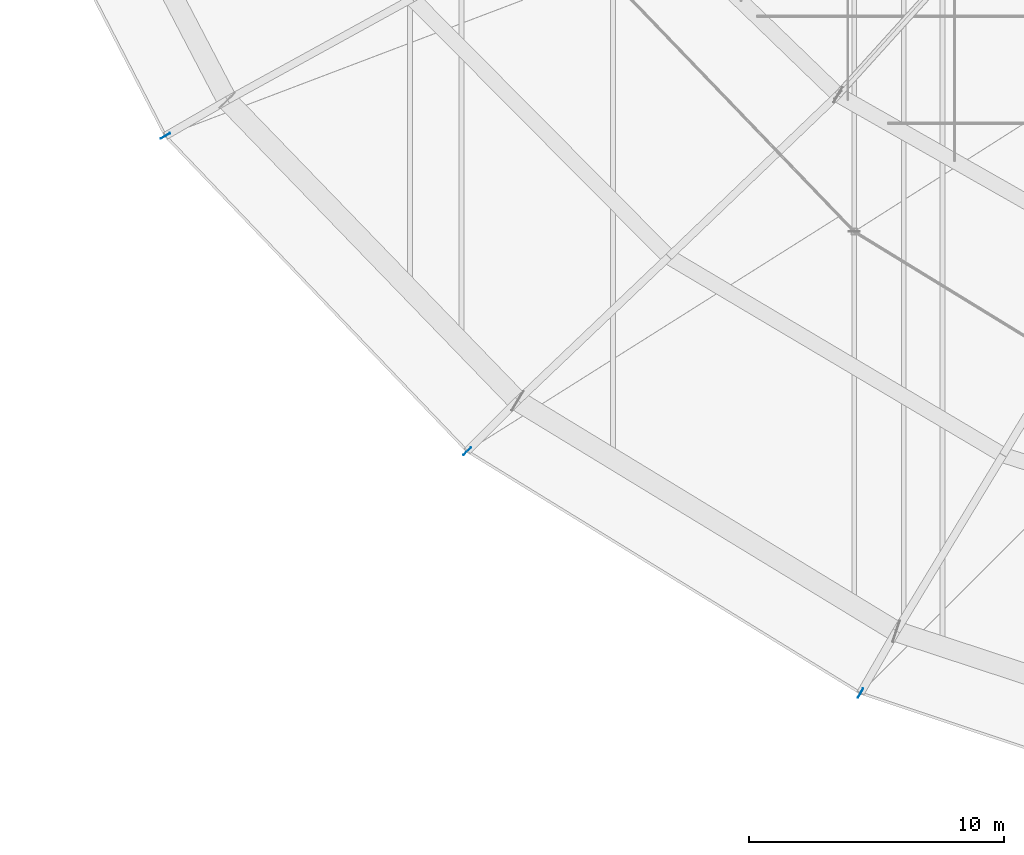
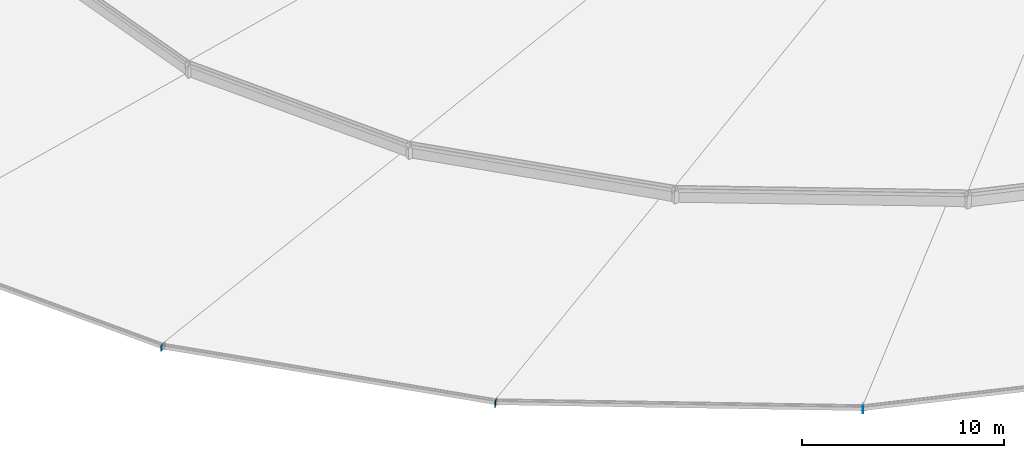
# One storey, part 158 of 184: 3 plates.
"""IFC4 building model written with IfcOpenShell, lengths in metres."""

from ifc_helpers import new_model, si_unit, direction, frame, origin, origin_2d, place, context, subcontext, project, spatial, rectangle, extrude, material, layer, layer_set, type_object, element, save


model = new_model("IFC4")

# Units and contexts
model_context = context("Model", 3, precision=1e-05, world=origin(), true_north=direction((0.0, 1.0)))
body_context = subcontext(model_context, "Body", "Model", "MODEL_VIEW")
ifc_project = project(units=[si_unit("LENGTHUNIT", "METRE"), si_unit("AREAUNIT", "SQUARE_METRE"), si_unit("VOLUMEUNIT", "CUBIC_METRE"), si_unit("PLANEANGLEUNIT", "RADIAN"), si_unit("MASSUNIT", "GRAM", prefix="KILO")], contexts=[model_context])

# Site, building, storey
site_placement = place(None, origin())
site = spatial("IfcSite", under=ifc_project, at=site_placement, CompositionType="ELEMENT")
building_placement = place(site_placement, origin())
building = spatial("IfcBuilding", under=site, at=building_placement, Name="Kalgoora Escarpment Arena", CompositionType="ELEMENT")
storey_placement = place(building_placement, frame((0.0, 0.0, 27.60009765625)))
storey = spatial("IfcBuildingStorey", under=building, at=storey_placement, Name="Roof Level", CompositionType="ELEMENT", Elevation=27.60009765625)

# Plates
ifc_material = material(Name="Structural steel Grade 350 (350 MPa)", Category="steel")
ifc_layer = layer(ifc_material, 0.02490234375)
ifc_layer_set = layer_set([ifc_layer], Name="PLT-GUSSET-25")
plate_type = type_object("IfcPlateType", Name="PLT-GUSSET-25", PredefinedType="USERDEFINED", material=ifc_layer_set)
for number, where, z_axis, x_axis, name in (
    (1, (27.79443359375, 34.10009765625, -1.18017578125), (0.0, 0.0, 1.0), (-0.866025403784, -0.5, 0.0), "Brace and post end gusset plate 169"),
    (2, (39.64990234375, 21.715087890625, -1.18017578125), (0.0, 0.0, 1.0), (-0.707106781187, -0.707106781187, 0.0), "Brace and post end gusset plate 170"),
    (3, (55.10009765625, 12.211669921875, -1.18017578125), (0.0, 0.0, 1.0), (-0.5, -0.866025403784, 0.0), "Brace and post end gusset plate 171"),
):
    element("IfcPlate", number, at=place(storey_placement, frame(where, z_axis=z_axis, x_axis=x_axis)), inside=storey, type_object=plate_type, Name=name, ObjectType="FLANGE PLATE", PredefinedType="USERDEFINED", context=body_context, shape_type="SweptSolid", body=[
        extrude(rectangle(XDim=0.419921875, YDim=0.02490234375, at=origin_2d()), origin(), (0.0, 0.0, 1.0), 0.360107421875),
    ])

save(model, "model.ifc")
